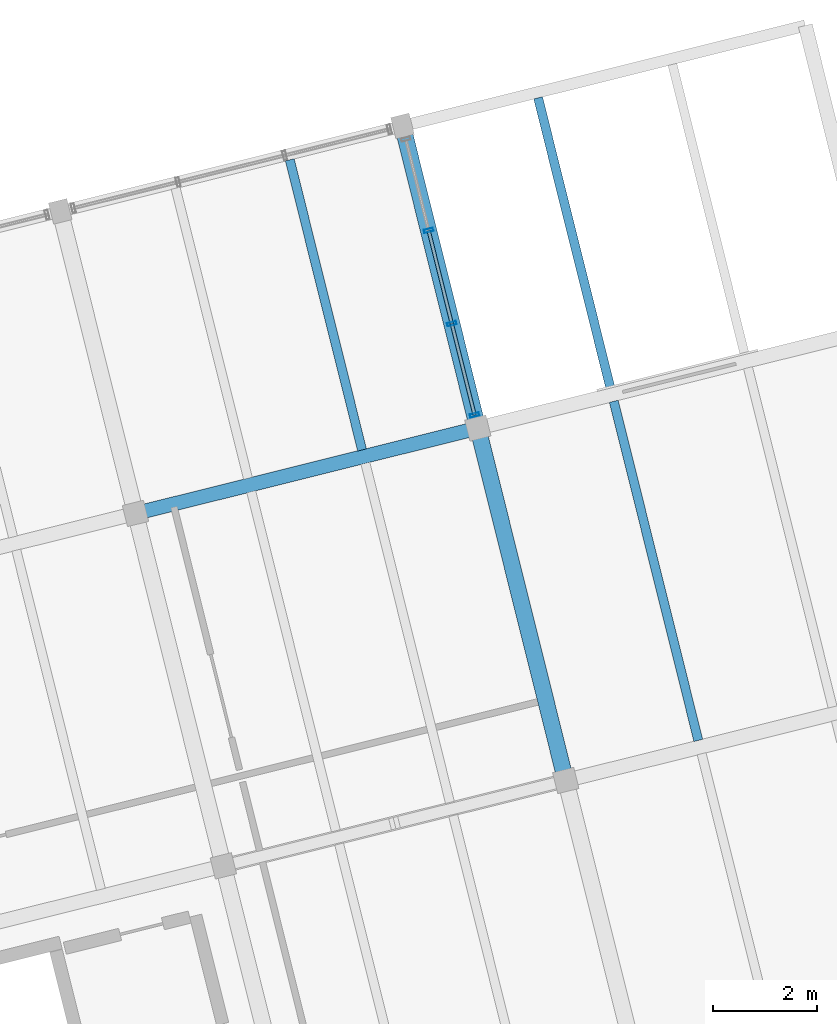
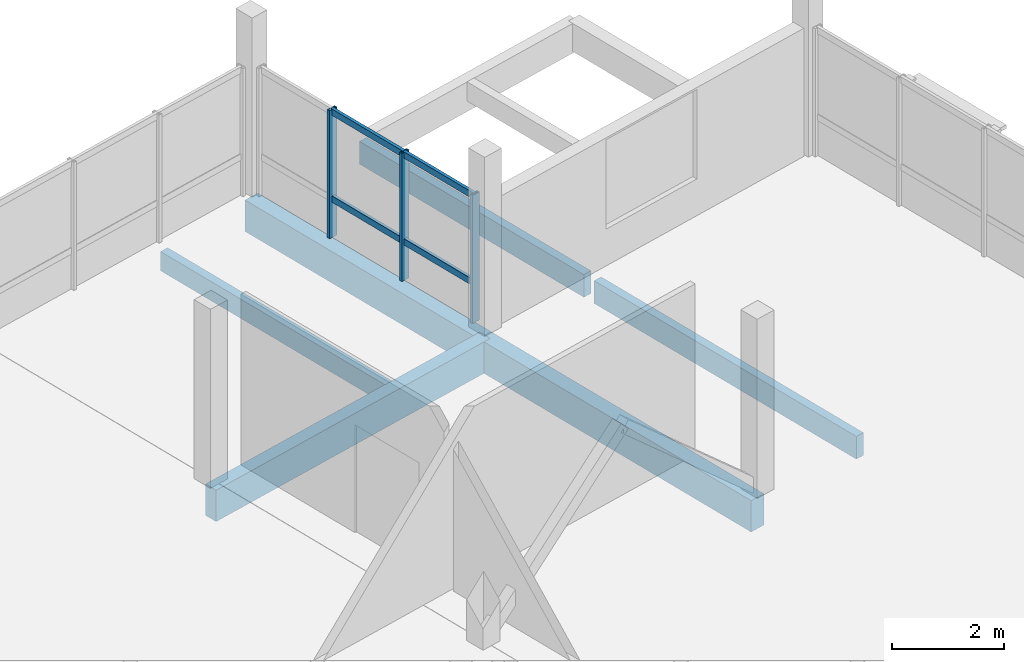
# One storey, part 19 of 27: 7 members, 6 beams, 1 element without a shape of its own.
"""IFC4 building model written with IfcOpenShell, lengths in metres."""

from ifc_helpers import new_model, si_unit, direction, frame, origin, origin_2d, place, context, subcontext, project, spatial, rectangle, hollow_rectangle, extrude, material, layer, layer_set, material_profile, profile_set, type_object, element, aggregate, save


model = new_model("IFC4")

# Units and contexts
model_context = context("Model", 3, precision=1e-05, world=origin(), true_north=direction((0.0, 1.0)))
body_context = subcontext(model_context, "Body", "Model", "MODEL_VIEW")
ifc_project = project(units=[si_unit("LENGTHUNIT", "METRE"), si_unit("AREAUNIT", "SQUARE_METRE"), si_unit("VOLUMEUNIT", "CUBIC_METRE"), si_unit("PLANEANGLEUNIT", "RADIAN"), si_unit("MASSUNIT", "GRAM", prefix="KILO")], contexts=[model_context])

# Site, building, storey
site_placement = place(None, origin())
site = spatial("IfcSite", under=ifc_project, at=site_placement, CompositionType="ELEMENT")
building_placement = place(site_placement, origin())
building = spatial("IfcBuilding", under=site, at=building_placement, Name="Meriwether Solvik Hall", CompositionType="ELEMENT")
storey_placement = place(building_placement, frame((0.0, 0.0, 33.89990234375)))
storey = spatial("IfcBuildingStorey", under=building, at=storey_placement, Name="L08", CompositionType="ELEMENT", Elevation=33.89990234375)

# Beams
ifc_material_1 = material(Name="Glulam Douglas-Fir 24F-V8 GL28h", Category="wood")
ifc_material_profile_1 = material_profile(ifc_material_1, rectangle(XDim=0.27294921875, YDim=0.68505859375, at=origin_2d()), Name="GLB-273X685")
ifc_profile_set_1 = profile_set([ifc_material_profile_1], Name="Glulam Douglas-Fir 24F-V8 GL28h")
beam_type_1 = type_object("IfcBeamType", Name="BM-GL-273X685", PredefinedType="BEAM", material=ifc_profile_set_1)
beam_1_placement = place(storey_placement, frame((90.158935546875, 75.432373046875, -0.5224609375), z_axis=(0.970296478685, 0.241918877831, 0.0), x_axis=(-0.241918877831, 0.970296478685, 0.0)))
element("IfcBeam", 1, at=beam_1_placement, inside=storey, type_object=beam_type_1, Name="Tower Girder TE:T5-T6 (L08)", PredefinedType="BEAM", context=body_context, shape_type="SweptSolid", body=[
    extrude(rectangle(XDim=0.27294921875, YDim=0.68505859375, at=origin_2d()), origin(), (0.0, 0.0, 1.0), 6.7998046875),
])
ifc_material_2 = material(Name="Glulam Douglas-Fir 24F-V8 GL28h", Category="wood")
ifc_material_profile_2 = material_profile(ifc_material_2, rectangle(XDim=0.31494140625, YDim=0.68505859375, at=origin_2d()), Name="GLB-315X685")
ifc_profile_set_2 = profile_set([ifc_material_profile_2], Name="Glulam Douglas-Fir 24F-V8 GL28h")
beam_type_2 = type_object("IfcBeamType", Name="BM-GL-315X685", PredefinedType="BEAM", material=ifc_profile_set_2)
beam_2_placement = place(storey_placement, frame((98.4501953125, 70.285400390625, -0.5224609375), z_axis=(-0.241911879182, 0.970298223594, 0.0), x_axis=(-0.970298223594, -0.241911879182, 0.0)))
element("IfcBeam", 2, at=beam_2_placement, inside=storey, type_object=beam_type_2, Name="Tower Girder T6:TD-TE (L08)", PredefinedType="BEAM", context=body_context, shape_type="SweptSolid", body=[
    extrude(rectangle(XDim=0.31494140625, YDim=0.68505859375, at=origin_2d()), origin(), (0.0, 0.0, 1.0), 7.0),
])
beam_3_placement = place(storey_placement, frame((96.7568359375, 77.077392578125, -0.5224609375), z_axis=(-0.241903677572, 0.970300268359, 0.0), x_axis=(-0.970300268359, -0.241903677572, 0.0)))
element("IfcBeam", 3, at=beam_3_placement, inside=storey, type_object=beam_type_2, Name="Tower Girder T6:TE-TF (L08)", PredefinedType="BEAM", context=body_context, shape_type="SweptSolid", body=[
    extrude(rectangle(XDim=0.31494140625, YDim=0.68505859375, at=origin_2d()), origin(), (0.0, 0.0, 1.0), 6.0),
])

# Curtain wall, members
ifc_material_3 = material(Name="Thermally Broken Anodised Aluminium 6063-T6 and Low-E Glass", Category="aluminium")
ifc_layer = layer(ifc_material_3, 0.179931640625)
ifc_layer_set = layer_set([ifc_layer], Name="Thermally Broken Anodised Aluminium 6063-T6 and Low-E Glass")
curtain_wall_type = type_object("IfcCurtainWallType", Name="CW-UNIT-D", PredefinedType="USERDEFINED", material=ifc_layer_set)
curtain_wall_placement = place(storey_placement, origin())
curtain_wall = element("IfcCurtainWall", 4, at=curtain_wall_placement, inside=storey, type_object=curtain_wall_type, Name="Curtain Wall E5_B0 (L08)", ObjectType="UNITISED CURTAIN WALL", PredefinedType="USERDEFINED")
ifc_material_4 = material(Name="Anodised Aluminium 6063-T6", Category="aluminium")
ifc_material_profile_3 = material_profile(ifc_material_4, hollow_rectangle(XDim=0.06494140625, YDim=0.179931640625, WallThickness=0.00439453125, at=origin_2d()), Name="CWM-65X180")
ifc_profile_set_3 = profile_set([ifc_material_profile_3], Name="Anodised Aluminium 6063-T6")
member_type_1 = type_object("IfcMemberType", Name="CW-MUL-65X180", PredefinedType="MULLION", material=ifc_profile_set_3)
member_1_placement = place(storey_placement, frame((95.80712890625, 80.886962890625, 0.0), z_axis=(0.0, 0.0, 1.0), x_axis=(0.241921889131, -0.970295727889, 0.0)))
member_1 = element("IfcMember", 5, at=member_1_placement, type_object=member_type_1, Name="Curtain Wall Mullion 2", PredefinedType="MULLION", context=body_context, shape_type="SweptSolid", body=[
    extrude(hollow_rectangle(XDim=0.06494140625, YDim=0.179931640625, WallThickness=0.00439453125, at=origin_2d()), origin(), (0.0, 0.0, 1.0), 2.7900390625),
])
member_2_placement = place(storey_placement, frame((96.255126953125, 79.08984375, 0.0), z_axis=(0.0, 0.0, 1.0), x_axis=(0.241921889131, -0.970295727889, 0.0)))
member_2 = element("IfcMember", 6, at=member_2_placement, type_object=member_type_1, Name="Curtain Wall Mullion 3", PredefinedType="MULLION", context=body_context, shape_type="SweptSolid", body=[
    extrude(hollow_rectangle(XDim=0.06494140625, YDim=0.179931640625, WallThickness=0.00439453125, at=origin_2d()), origin(), (0.0, 0.0, 1.0), 2.7900390625),
])
member_3_placement = place(storey_placement, frame((96.69384765625, 77.329833984375, 0.0), z_axis=(0.0, 0.0, 1.0), x_axis=(0.241921889131, -0.970295727889, 0.0)))
member_3 = element("IfcMember", 7, at=member_3_placement, type_object=member_type_1, Name="Curtain Wall Mullion 4", PredefinedType="MULLION", context=body_context, shape_type="SweptSolid", body=[
    extrude(hollow_rectangle(XDim=0.06494140625, YDim=0.179931640625, WallThickness=0.00439453125, at=origin_2d()), origin(), (0.0, 0.0, 1.0), 2.7900390625),
])
ifc_material_5 = material(Name="Anodised Aluminium 6063-T6", Category="aluminium")
ifc_material_profile_4 = material_profile(ifc_material_5, hollow_rectangle(XDim=0.06494140625, YDim=0.139892578125, WallThickness=0.00439453125, at=origin_2d()), Name="CWT-65X140")
ifc_profile_set_4 = profile_set([ifc_material_profile_4], Name="Anodised Aluminium 6063-T6")
member_type_2 = type_object("IfcMemberType", Name="CW-TRN-65X140", PredefinedType="USERDEFINED", material=ifc_profile_set_4)
member_4_placement = place(storey_placement, frame((95.80712890625, 80.886962890625, 0.837158203125), z_axis=(0.241884239197, -0.970305114295, 0.0), x_axis=(0.970305114295, 0.241884239197, 0.0)))
member_4 = element("IfcMember", 8, at=member_4_placement, type_object=member_type_2, Name="Curtain Wall Transom 2-sill", ObjectType="TRANSOM", PredefinedType="USERDEFINED", context=body_context, shape_type="SweptSolid", body=[
    extrude(hollow_rectangle(XDim=0.06494140625, YDim=0.139892578125, WallThickness=0.00439453125, at=origin_2d()), origin(), (0.0, 0.0, 1.0), 1.85205078125),
])
member_5_placement = place(storey_placement, frame((95.80712890625, 80.886962890625, 2.72998046875), z_axis=(0.241884239197, -0.970305114295, 0.0), x_axis=(0.970305114295, 0.241884239197, 0.0)))
member_5 = element("IfcMember", 9, at=member_5_placement, type_object=member_type_2, Name="Curtain Wall Transom 2-head", ObjectType="TRANSOM", PredefinedType="USERDEFINED", context=body_context, shape_type="SweptSolid", body=[
    extrude(hollow_rectangle(XDim=0.06494140625, YDim=0.139892578125, WallThickness=0.00439453125, at=origin_2d()), origin(), (0.0, 0.0, 1.0), 1.85205078125),
])
member_6_placement = place(storey_placement, frame((96.255126953125, 79.08984375, 0.837158203125), z_axis=(0.241870501362, -0.970308538853, 0.0), x_axis=(0.970308538853, 0.241870501362, 0.0)))
member_6 = element("IfcMember", 10, at=member_6_placement, type_object=member_type_2, Name="Curtain Wall Transom 3-sill", ObjectType="TRANSOM", PredefinedType="USERDEFINED", context=body_context, shape_type="SweptSolid", body=[
    extrude(hollow_rectangle(XDim=0.06494140625, YDim=0.139892578125, WallThickness=0.00439453125, at=origin_2d()), origin(), (0.0, 0.0, 1.0), 1.81396484375),
])
member_7_placement = place(storey_placement, frame((96.255126953125, 79.08984375, 2.72998046875), z_axis=(0.241870501362, -0.970308538853, 0.0), x_axis=(0.970308538853, 0.241870501362, 0.0)))
member_7 = element("IfcMember", 11, at=member_7_placement, type_object=member_type_2, Name="Curtain Wall Transom 3-head", ObjectType="TRANSOM", PredefinedType="USERDEFINED", context=body_context, shape_type="SweptSolid", body=[
    extrude(hollow_rectangle(XDim=0.06494140625, YDim=0.139892578125, WallThickness=0.00439453125, at=origin_2d()), origin(), (0.0, 0.0, 1.0), 1.81396484375),
])
aggregate(curtain_wall, [member_1, member_2, member_3, member_4, member_5, member_6, member_7])

# Beams
ifc_material_6 = material(Name="Glulam Douglas-Fir 24F-V8 GL28h", Category="wood")
ifc_material_profile_5 = material_profile(ifc_material_6, rectangle(XDim=0.175048828125, YDim=0.419921875, at=origin_2d()), Name="GLJ-175X420")
ifc_profile_set_5 = profile_set([ifc_material_profile_5], Name="Glulam Douglas-Fir 24F-V8 GL28h")
beam_type_3 = type_object("IfcBeamType", Name="JST-GL-175X420", PredefinedType="JOIST", material=ifc_profile_set_5)
beam_4_placement = place(storey_placement, frame((94.525634765625, 76.65673828125, -0.389892578125), z_axis=(-0.241917511092, 0.970296819446, 0.0), x_axis=(-0.970296819446, -0.241917511092, 0.0)))
element("IfcBeam", 12, at=beam_4_placement, inside=storey, type_object=beam_type_3, Name="Glulam Floor Joist T5/TE-J2 (L08)", PredefinedType="JOIST", context=body_context, shape_type="SweptSolid", body=[
    extrude(rectangle(XDim=0.175048828125, YDim=0.419921875, at=origin_2d()), origin(), (0.0, 0.0, 1.0), 5.762451171875),
])
ifc_material_7 = material(Name="Glulam Douglas-Fir 24F-V8 GL28h", Category="wood")
ifc_material_profile_6 = material_profile(ifc_material_7, rectangle(XDim=0.175048828125, YDim=0.4951171875, at=origin_2d()), Name="GLJ-175X495")
ifc_profile_set_6 = profile_set([ifc_material_profile_6], Name="Glulam Douglas-Fir 24F-V8 GL28h")
beam_type_4 = type_object("IfcBeamType", Name="JST-GL-175X495", PredefinedType="JOIST", material=ifc_profile_set_6)
beam_5_placement = place(storey_placement, frame((101.005859375, 71.05810546875, -0.427490234375), z_axis=(-0.241896058636, 0.970302167789, 0.0), x_axis=(-0.970302167789, -0.241896058636, 0.0)))
element("IfcBeam", 13, at=beam_5_placement, inside=storey, type_object=beam_type_4, Name="Glulam Floor Joist T6/TD-J1 (L08)", PredefinedType="JOIST", context=body_context, shape_type="SweptSolid", body=[
    extrude(rectangle(XDim=0.175048828125, YDim=0.4951171875, at=origin_2d()), origin(), (0.0, 0.0, 1.0), 6.73681640625),
])
beam_6_placement = place(storey_placement, frame((99.3125, 77.85009765625, -0.427490234375), z_axis=(-0.241917511092, 0.970296819446, 0.0), x_axis=(-0.970296819446, -0.241917511092, 0.0)))
element("IfcBeam", 14, at=beam_6_placement, inside=storey, type_object=beam_type_4, Name="Glulam Floor Joist T6/TE-J1 (L08)", PredefinedType="JOIST", context=body_context, shape_type="SweptSolid", body=[
    extrude(rectangle(XDim=0.175048828125, YDim=0.4951171875, at=origin_2d()), origin(), (0.0, 0.0, 1.0), 5.762451171875),
])

save(model, "model.ifc")
